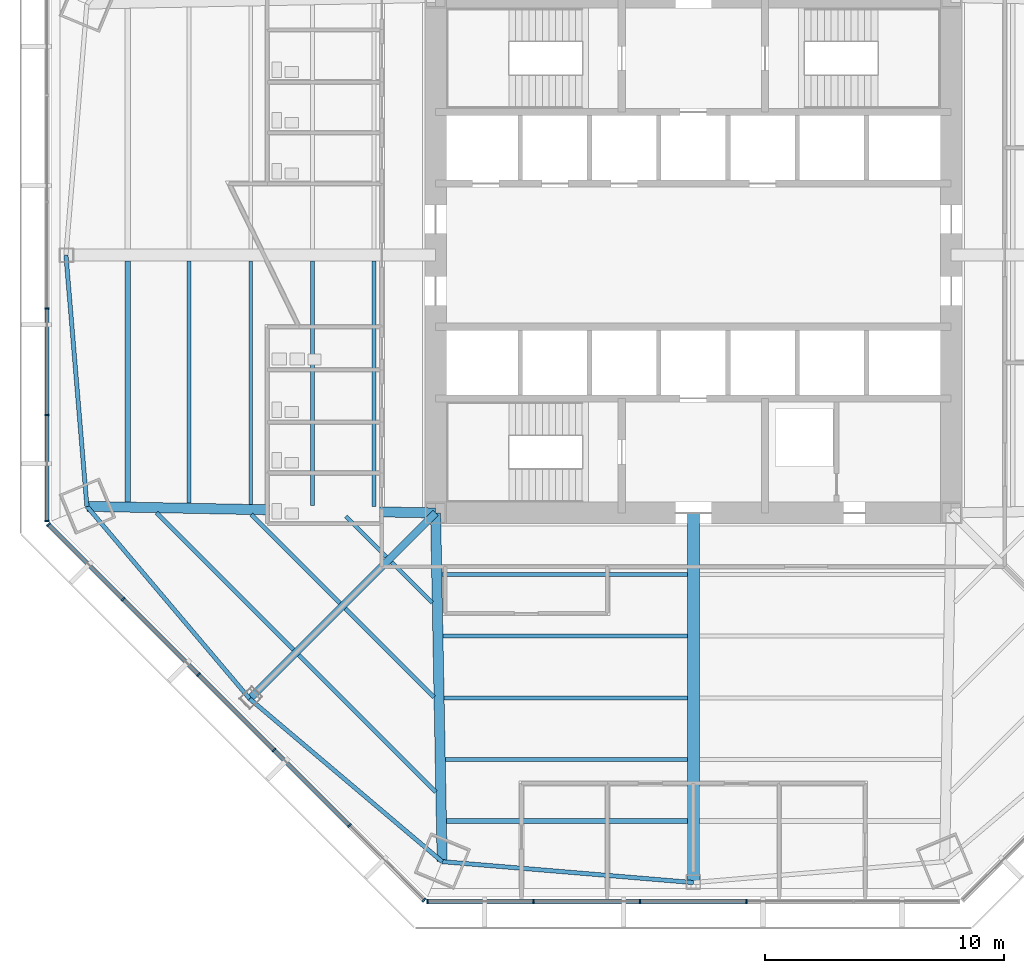
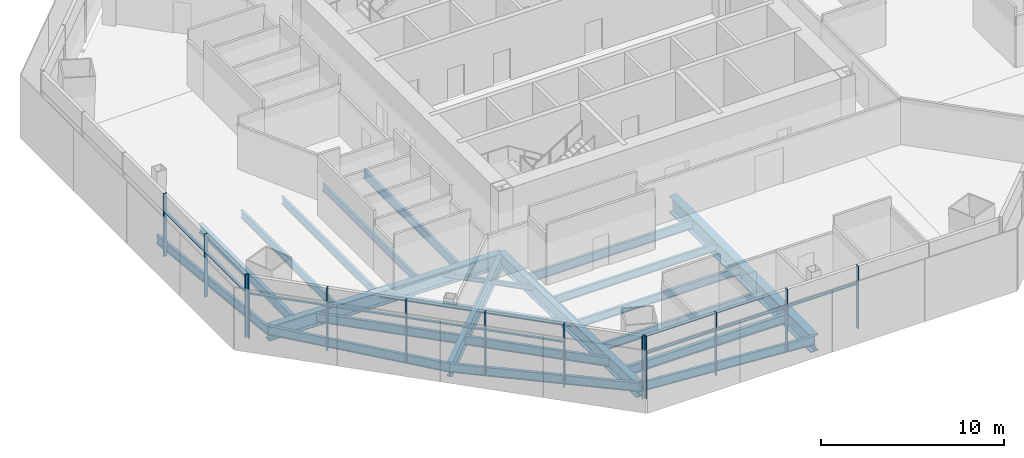
# One storey, part 2 of 14: 24 beams, 22 members, 3 elements without a shape of their own.
"""IFC4 building model written with IfcOpenShell, lengths in metres."""

import ifcopenshell
import ifcopenshell.guid

model = None  # the IFC model being written
_history = None  # IfcOwnerHistory: only IFC2X3 demands one
_inside = {}  # id of a spatial element -> (the spatial element, [elements in it])
_under = {}  # id of a project, library or spatial element -> (it, [spatial elements below it])
_declared = {}  # id of a project -> (the project, [libraries it declares])
_typed = {}  # id of a type object -> (the type object, [elements of that type])
_made_of = {}  # id of a material, layer set ... -> (it, [elements and type objects made of it])


def new_model(schema):
    """Start an empty IFC model of exactly this schema.

    Asked for "IFC4X3", IfcOpenShell would pick the latest addendum, in which some entities
    have other attributes; the version numbers below select the first issue.
    IFC2X3 requires an IfcOwnerHistory on every rooted entity: one is made here for all.
    """
    global model, _history
    if schema == "IFC4X3":
        model = ifcopenshell.file(schema_version=(4, 3, 0, 0))
    else:
        model = ifcopenshell.file(schema=schema)
    _inside.clear()
    _under.clear()
    _declared.clear()
    _typed.clear()
    _made_of.clear()
    _history = None
    if model.schema == "IFC2X3":
        org = make("IfcOrganization", Name="unknown")
        user = make(
            "IfcPersonAndOrganization",
            ThePerson=make("IfcPerson", FamilyName="unknown"),
            TheOrganization=org,
        )
        app = make(
            "IfcApplication",
            ApplicationDeveloper=org,
            Version="unknown",
            ApplicationFullName="unknown",
            ApplicationIdentifier="unknown",
        )
        _history = make(
            "IfcOwnerHistory",
            OwningUser=user,
            OwningApplication=app,
            ChangeAction="ADDED",
            CreationDate=0,
        )
    return model


def make(cls, **values):
    """One entity of the class cls with the attributes given. An attribute that is None is left unset."""
    return model.create_entity(
        cls, **{name: value for name, value in values.items() if value is not None}
    )


def rooted(cls, **values):
    """An entity with a GlobalId (a new one), such as an element, a storey or a relation."""
    return make(cls, GlobalId=ifcopenshell.guid.new(), OwnerHistory=_history, **values)


def si_unit(unit_type, name, prefix=None):
    """IfcSIUnit, for example si_unit("LENGTHUNIT", "METRE", prefix="MILLI")."""
    return make("IfcSIUnit", UnitType=unit_type, Prefix=prefix, Name=name)


def assignment(units):
    """IfcUnitAssignment: the units of a project."""
    return None if units is None else make("IfcUnitAssignment", Units=units)


def point(xyz):
    """IfcCartesianPoint."""
    return None if xyz is None else make("IfcCartesianPoint", Coordinates=xyz)


def direction(xyz):
    """IfcDirection."""
    return None if xyz is None else make("IfcDirection", DirectionRatios=xyz)


def frame(location, z_axis=None, x_axis=None):
    """IfcAxis2Placement3D, a coordinate frame: its origin and axes. An axis left out is left unset."""
    return make(
        "IfcAxis2Placement3D",
        Location=point(location),
        Axis=direction(z_axis),
        RefDirection=direction(x_axis),
    )


def frame_2d(location, x_axis=None):
    """IfcAxis2Placement2D, a coordinate frame in the plane: its origin and x axis."""
    return make(
        "IfcAxis2Placement2D", Location=point(location), RefDirection=direction(x_axis)
    )


def origin():
    """The frame at (0, 0, 0) with its axes left unset."""
    return frame((0.0, 0.0, 0.0))


def origin_2d():
    """The frame at (0, 0) in the plane with its x axis left unset."""
    return frame_2d((0.0, 0.0))


def place(relative_to, where):
    """IfcLocalPlacement: puts the frame where relative to a parent placement (None: the world)."""
    return make(
        "IfcLocalPlacement", PlacementRelTo=relative_to, RelativePlacement=where
    )


def context(
    kind, dimensions, precision=None, world=None, true_north=None, identifier=None
):
    """IfcGeometricRepresentationContext, for example the 3D "Model" context."""
    return make(
        "IfcGeometricRepresentationContext",
        ContextIdentifier=identifier,
        ContextType=kind,
        CoordinateSpaceDimension=dimensions,
        Precision=precision,
        WorldCoordinateSystem=world,
        TrueNorth=true_north,
    )


def subcontext(parent, identifier, kind, view, scale=None):
    """IfcGeometricRepresentationSubContext, for example "Body" below "Model"."""
    return make(
        "IfcGeometricRepresentationSubContext",
        ContextIdentifier=identifier,
        ContextType=kind,
        ParentContext=parent,
        TargetScale=scale,
        TargetView=view,
    )


def project(units=None, contexts=None):
    """IfcProject with its units and contexts."""
    return rooted(
        "IfcProject",
        Name="project",
        RepresentationContexts=contexts,
        UnitsInContext=assignment(units),
    )


def spatial(cls, under=None, at=None, **own):
    """A site, building, storey or space (cls), placed at a placement, below another one or the project."""
    s = rooted(cls, ObjectPlacement=at, **own)
    if under is not None:
        _under.setdefault(under.id(), (under, []))[1].append(s)
    return s


def profile(cls, at=None, kind="AREA", **sizes):
    """A parametric profile (cls). Its sizes go by their IFC names, for example OverallWidth=200.0."""
    return make(cls, ProfileType=kind, Position=at, **sizes)


def rectangle(**sizes):
    """IfcRectangleProfileDef."""
    return profile("IfcRectangleProfileDef", **sizes)


def i_section(**sizes):
    """IfcIShapeProfileDef."""
    return profile("IfcIShapeProfileDef", **sizes)


def extrude(swept, where, along, depth):
    """IfcExtrudedAreaSolid: the profile swept, set in the frame where, extruded along a direction by depth."""
    return make(
        "IfcExtrudedAreaSolid",
        SweptArea=swept,
        Position=where,
        ExtrudedDirection=direction(along),
        Depth=depth,
    )


def shape(context_of_items, identifier, shape_type, items):
    """IfcShapeRepresentation: the items that make up one representation, for example the "Body"."""
    return make(
        "IfcShapeRepresentation",
        ContextOfItems=context_of_items,
        RepresentationIdentifier=identifier,
        RepresentationType=shape_type,
        Items=items,
    )


def source(mapping_origin, context_of_items, identifier, shape_type, items):
    """IfcRepresentationMap: a shape defined once, which mapped items show again and again."""
    return make(
        "IfcRepresentationMap",
        MappingOrigin=mapping_origin,
        MappedRepresentation=shape(context_of_items, identifier, shape_type, items),
    )


def transform(
    local_origin,
    x_axis=None,
    y_axis=None,
    z_axis=None,
    scale=None,
    scale2=None,
    scale3=None,
    uniform=True,
):
    """IfcCartesianTransformationOperator3D, or its non-uniform kind. x_axis, y_axis, z_axis: its Axis1, 2, 3."""
    if uniform:
        return make(
            "IfcCartesianTransformationOperator3D",
            Axis1=direction(x_axis),
            Axis2=direction(y_axis),
            LocalOrigin=point(local_origin),
            Scale=scale,
            Axis3=direction(z_axis),
        )
    return make(
        "IfcCartesianTransformationOperator3DnonUniform",
        Axis1=direction(x_axis),
        Axis2=direction(y_axis),
        LocalOrigin=point(local_origin),
        Scale=scale,
        Axis3=direction(z_axis),
        Scale2=scale2,
        Scale3=scale3,
    )


def mapped(mapping_source, mapping_target):
    """IfcMappedItem: shows the shape of a source again, moved by a transform."""
    return make(
        "IfcMappedItem", MappingSource=mapping_source, MappingTarget=mapping_target
    )


def material(Name=None, Category=None):
    """IfcMaterial."""
    return make("IfcMaterial", Name=Name, Category=Category)


def material_profile(
    of_material, cross_section, Name=None, Category=None, Priority=None
):
    """IfcMaterialProfile: a cross section and its material."""
    return make(
        "IfcMaterialProfile",
        Name=Name,
        Material=of_material,
        Profile=cross_section,
        Priority=Priority,
        Category=Category,
    )


def profile_set(profiles, Name=None, composite=None):
    """IfcMaterialProfileSet."""
    return make(
        "IfcMaterialProfileSet",
        Name=Name,
        MaterialProfiles=profiles,
        CompositeProfile=composite,
    )


def made_of(thing, what):
    """Note that an element or type object is made of a material, layer set ...; save() writes the relation."""
    if what is not None:
        _made_of.setdefault(what.id(), (what, []))[1].append(thing)
    return thing


def type_object(cls, material=None, **own):
    """A type object (cls), such as IfcWallType, which elements share."""
    return made_of(rooted(cls, **own), material)


def type_shapes(of_type, sources):
    """Give a type object the sources (RepresentationMaps) that its elements show as mapped items."""
    of_type.RepresentationMaps = sources


def element(
    cls,
    number,
    at=None,
    inside=None,
    cuts=None,
    type_object=None,
    material=None,
    context=None,
    identifier="Body",
    shape_type=None,
    held_by="IfcProductDefinitionShape",
    body=None,
    shapes=None,
    **own,
):
    """One element of the class cls, such as IfcWall. Its Tag is "e" and its number.

    at: its placement. inside: the storey or other place that contains it. cuts: it is an
    opening in that element (IfcRelVoidsElement). A single representation is given by context,
    identifier, shape_type and body (its items); several are given by shapes. held_by: the class
    of the entity that holds the representations. save() writes the other relations.
    """
    e = rooted(cls, Tag="e%d" % number, ObjectPlacement=at, **own)
    if body is not None:
        shapes = [shape(context, identifier, shape_type, body)]
    if shapes is not None:
        e.Representation = make(held_by, Representations=shapes)
    if inside is not None:
        _inside.setdefault(inside.id(), (inside, []))[1].append(e)
    if cuts is not None:
        rooted(
            "IfcRelVoidsElement", RelatingBuildingElement=cuts, RelatedOpeningElement=e
        )
    if type_object is not None:
        _typed.setdefault(type_object.id(), (type_object, []))[1].append(e)
    return made_of(e, material)


def aggregate(whole, parts):
    """IfcRelAggregates: a whole, such as a stair, and the parts it consists of."""
    return rooted("IfcRelAggregates", RelatingObject=whole, RelatedObjects=parts)


def save(model, path):
    """Write the relations noted so far, then the file.

    IfcRelAggregates (storeys below a building ...), IfcRelContainedInSpatialStructure (elements
    in a storey), IfcRelDefinesByType, IfcRelAssociatesMaterial and IfcRelDeclares: one each for
    every whole, place, type object, material and project.
    """
    for whole, parts in _under.values():
        aggregate(whole, parts)
    for where, things in _inside.values():
        rooted(
            "IfcRelContainedInSpatialStructure",
            RelatedElements=things,
            RelatingStructure=where,
        )
    for kind, things in _typed.values():
        rooted("IfcRelDefinesByType", RelatedObjects=things, RelatingType=kind)
    for what, things in _made_of.values():
        rooted("IfcRelAssociatesMaterial", RelatedObjects=things, RelatingMaterial=what)
    for by, libraries in _declared.values():
        rooted("IfcRelDeclares", RelatingContext=by, RelatedDefinitions=libraries)
    model.write(path)


model = new_model("IFC4")

# Units and contexts
model_context = context("Model", 3, precision=1e-05, world=origin(), true_north=direction((0.0, 1.0)))
body_context = subcontext(model_context, "Body", "Model", "MODEL_VIEW")
ifc_project = project(units=[si_unit("LENGTHUNIT", "METRE"), si_unit("AREAUNIT", "SQUARE_METRE"), si_unit("VOLUMEUNIT", "CUBIC_METRE"), si_unit("PLANEANGLEUNIT", "RADIAN"), si_unit("MASSUNIT", "GRAM", prefix="KILO")], contexts=[model_context])

# Site, building, storey
site_placement = place(None, origin())
site = spatial("IfcSite", under=ifc_project, at=site_placement, CompositionType="ELEMENT")
building_placement = place(site_placement, origin())
building = spatial("IfcBuilding", under=site, at=building_placement, Name="Mashrafa Tower", CompositionType="ELEMENT")
storey_placement = place(building_placement, frame((0.0, 0.0, 33.0)))
storey = spatial("IfcBuildingStorey", under=building, at=storey_placement, Name="L06", CompositionType="ELEMENT", Elevation=33.0)

# Beams
ifc_material_1 = material(Name="Steel ASTM A572 Gr 50", Category="steel")
ifc_material_profile_1 = material_profile(ifc_material_1, i_section(OverallWidth=0.5, OverallDepth=1.10009765625, WebThickness=0.02490234375, FlangeThickness=0.050048828125, at=origin_2d()), Name="H1100X500X25X50")
ifc_profile_set_1 = profile_set([ifc_material_profile_1], Name="Steel ASTM A572 Gr 50")
beam_type_1 = type_object("IfcBeamType", Name="Beam H1100X500X25X50", PredefinedType="BEAM", material=ifc_profile_set_1)
beam_1_placement = place(storey_placement, frame((0.0, -10.800048828125, -0.715087890625), z_axis=(0.0, -1.0, 0.0), x_axis=(1.0, 0.0, 0.0)))
element("IfcBeam", 1, at=beam_1_placement, inside=storey, type_object=beam_type_1, Name="Radial girder L06 072", PredefinedType="BEAM", context=body_context, shape_type="SweptSolid", body=[
    extrude(i_section(OverallWidth=0.5, OverallDepth=1.10009765625, WebThickness=0.02490234375, FlangeThickness=0.050048828125, at=origin_2d()), origin(), (0.0, 0.0, 1.0), 15.48583984375),
])
ifc_material_2 = material(Name="Steel ASTM A992", Category="steel")
ifc_material_profile_2 = material_profile(ifc_material_2, i_section(OverallWidth=0.164794921875, OverallDepth=0.309814453125, WebThickness=0.005859375, FlangeThickness=0.009765625, FilletRadius=0.007568359375, at=origin_2d()), Name="W12X26")
ifc_profile_set_2 = profile_set([ifc_material_profile_2], Name="Steel ASTM A992")
beam_type_2 = type_object("IfcBeamType", Name="Beam W12X26", PredefinedType="BEAM", material=ifc_profile_set_2)
beam_2_placement = place(storey_placement, frame((-14.80224609375, -14.584716796875, -0.31982421875), z_axis=(-0.707083567294, 0.707129994317, 0.0), x_axis=(-0.707129994317, -0.707083567294, 0.0)))
element("IfcBeam", 2, at=beam_2_placement, inside=storey, type_object=beam_type_2, Name="Floor beam L06 014", PredefinedType="BEAM", context=body_context, shape_type="SweptSolid", body=[
    extrude(i_section(OverallWidth=0.164794921875, OverallDepth=0.309814453125, WebThickness=0.005859375, FlangeThickness=0.009765625, FilletRadius=0.007568359375, at=origin_2d()), origin(), (0.0, 0.0, 1.0), 5.258544921875),
])
for number, where, z_axis, x_axis, name in (
    (3, (-12.85546875, -12.637939453125, -0.31982421875), (-0.707157654008, 0.707055904705, 0.0), (-0.707055904705, -0.707157654008, 0.0), "Floor beam L06 018"),
    (4, (-10.94140625, -14.55224609375, -0.31982421875), (-0.707055904705, 0.707157654008, 0.0), (-0.707157654008, -0.707055904705, 0.0), "Floor beam L06 021"),
):
    element("IfcBeam", number, at=place(storey_placement, frame(where, z_axis=z_axis, x_axis=x_axis)), inside=storey, type_object=beam_type_2, Name=name, PredefinedType="BEAM", context=body_context, shape_type="SweptSolid", body=[
        extrude(i_section(OverallWidth=0.164794921875, OverallDepth=0.309814453125, WebThickness=0.005859375, FlangeThickness=0.009765625, FilletRadius=0.007568359375, at=origin_2d()), origin(), (0.0, 0.0, 1.0), 2.3994140625),
    ])
beam_3_placement = place(storey_placement, frame((-10.8662109375, -18.5205078125, -0.31982421875), z_axis=(-0.707129994317, 0.707083567294, 0.0), x_axis=(-0.707083567294, -0.707129994317, 0.0)))
element("IfcBeam", 5, at=beam_3_placement, inside=storey, type_object=beam_type_2, Name="Floor beam L06 024", PredefinedType="BEAM", context=body_context, shape_type="SweptSolid", body=[
    extrude(i_section(OverallWidth=0.164794921875, OverallDepth=0.309814453125, WebThickness=0.005859375, FlangeThickness=0.009765625, FilletRadius=0.007568359375, at=origin_2d()), origin(), (0.0, 0.0, 1.0), 5.258544921875),
])
ifc_material_3 = material(Name="Steel ASTM A992", Category="steel")
ifc_material_profile_3 = material_profile(ifc_material_3, i_section(OverallWidth=0.165771484375, OverallDepth=0.5283203125, WebThickness=0.009765625, FlangeThickness=0.013671875, FilletRadius=0.012939453125, at=origin_2d()), Name="W21X50")
ifc_profile_set_3 = profile_set([ifc_material_profile_3], Name="Steel ASTM A992")
beam_type_3 = type_object("IfcBeamType", Name="Beam W21X50", PredefinedType="BEAM", material=ifc_profile_set_3)
beam_4_placement = place(storey_placement, frame((-21.123779296875, -10.39306640625, -0.42919921875), z_axis=(0.0, 1.0, 0.0), x_axis=(-1.0, 0.0, 0.0)))
element("IfcBeam", 6, at=beam_4_placement, inside=storey, type_object=beam_type_3, Name="Floor beam L06 004", PredefinedType="BEAM", context=body_context, shape_type="SweptSolid", body=[
    extrude(i_section(OverallWidth=0.165771484375, OverallDepth=0.5283203125, WebThickness=0.009765625, FlangeThickness=0.013671875, FilletRadius=0.012939453125, at=origin_2d()), origin(), (0.0, 0.0, 1.0), 10.14306640625),
])
beam_5_placement = place(storey_placement, frame((-18.54296875, -10.441650390625, -0.42919921875), z_axis=(0.0, 1.0, 0.0), x_axis=(-1.0, 0.0, 0.0)))
element("IfcBeam", 7, at=beam_5_placement, inside=storey, type_object=beam_type_3, Name="Floor beam L06 007", PredefinedType="BEAM", context=body_context, shape_type="SweptSolid", body=[
    extrude(i_section(OverallWidth=0.165771484375, OverallDepth=0.5283203125, WebThickness=0.009765625, FlangeThickness=0.013671875, FilletRadius=0.012939453125, at=origin_2d()), origin(), (0.0, 0.0, 1.0), 10.191650390625),
])
beam_6_placement = place(storey_placement, frame((-15.9619140625, -10.490478515625, -0.42919921875), z_axis=(0.0, 1.0, 0.0), x_axis=(-1.0, 0.0, 0.0)))
element("IfcBeam", 8, at=beam_6_placement, inside=storey, type_object=beam_type_3, Name="Floor beam L06 011", PredefinedType="BEAM", context=body_context, shape_type="SweptSolid", body=[
    extrude(i_section(OverallWidth=0.165771484375, OverallDepth=0.5283203125, WebThickness=0.009765625, FlangeThickness=0.013671875, FilletRadius=0.012939453125, at=origin_2d()), origin(), (0.0, 0.0, 1.0), 10.240478515625),
])
beam_7_placement = place(storey_placement, frame((-0.25, -21.123779296875, -0.42919921875), z_axis=(-1.0, 0.0, 0.0), x_axis=(0.0, -1.0, 0.0)))
element("IfcBeam", 9, at=beam_7_placement, inside=storey, type_object=beam_type_3, Name="Floor beam L06 029", PredefinedType="BEAM", context=body_context, shape_type="SweptSolid", body=[
    extrude(i_section(OverallWidth=0.165771484375, OverallDepth=0.5283203125, WebThickness=0.009765625, FlangeThickness=0.013671875, FilletRadius=0.012939453125, at=origin_2d()), origin(), (0.0, 0.0, 1.0), 10.14306640625),
])
beam_8_placement = place(storey_placement, frame((-0.25, -18.54296875, -0.42919921875), z_axis=(-1.0, 0.0, 0.0), x_axis=(0.0, -1.0, 0.0)))
element("IfcBeam", 10, at=beam_8_placement, inside=storey, type_object=beam_type_3, Name="Floor beam L06 030", PredefinedType="BEAM", context=body_context, shape_type="SweptSolid", body=[
    extrude(i_section(OverallWidth=0.165771484375, OverallDepth=0.5283203125, WebThickness=0.009765625, FlangeThickness=0.013671875, FilletRadius=0.012939453125, at=origin_2d()), origin(), (0.0, 0.0, 1.0), 10.191650390625),
])
beam_9_placement = place(storey_placement, frame((-0.25, -15.9619140625, -0.42919921875), z_axis=(-1.0, 0.0, 0.0), x_axis=(0.0, -1.0, 0.0)))
element("IfcBeam", 11, at=beam_9_placement, inside=storey, type_object=beam_type_3, Name="Floor beam L06 031", PredefinedType="BEAM", context=body_context, shape_type="SweptSolid", body=[
    extrude(i_section(OverallWidth=0.165771484375, OverallDepth=0.5283203125, WebThickness=0.009765625, FlangeThickness=0.013671875, FilletRadius=0.012939453125, at=origin_2d()), origin(), (0.0, 0.0, 1.0), 10.240478515625),
])
ifc_material_4 = material(Name="Steel ASTM A992", Category="steel")
ifc_material_profile_4 = material_profile(ifc_material_4, i_section(OverallWidth=0.177978515625, OverallDepth=0.599365234375, WebThickness=0.010009765625, FlangeThickness=0.012939453125, FilletRadius=0.012939453125, at=origin_2d()), Name="W24X55")
ifc_profile_set_4 = profile_set([ifc_material_profile_4], Name="Steel ASTM A992")
beam_type_4 = type_object("IfcBeamType", Name="Beam W24X55", PredefinedType="BEAM", material=ifc_profile_set_4)
beam_10_placement = place(storey_placement, frame((-16.748779296875, -16.531494140625, -0.464599609375), z_axis=(-0.707121818493, 0.70709174356, 0.0), x_axis=(-0.70709174356, -0.707121818493, 0.0)))
element("IfcBeam", 12, at=beam_10_placement, inside=storey, type_object=beam_type_4, Name="Floor beam L06 009", PredefinedType="BEAM", context=body_context, shape_type="SweptSolid", body=[
    extrude(i_section(OverallWidth=0.177978515625, OverallDepth=0.599365234375, WebThickness=0.010009765625, FlangeThickness=0.012939453125, FilletRadius=0.012939453125, at=origin_2d()), origin(), (0.0, 0.0, 1.0), 8.11767578125),
])
beam_11_placement = place(storey_placement, frame((-13.381103515625, -10.539306640625, -0.464599609375), z_axis=(0.0, 1.0, 0.0), x_axis=(-1.0, 0.0, 0.0)))
element("IfcBeam", 13, at=beam_11_placement, inside=storey, type_object=beam_type_4, Name="Floor beam L06 016", PredefinedType="BEAM", context=body_context, shape_type="SweptSolid", body=[
    extrude(i_section(OverallWidth=0.177978515625, OverallDepth=0.599365234375, WebThickness=0.010009765625, FlangeThickness=0.012939453125, FilletRadius=0.012939453125, at=origin_2d()), origin(), (0.0, 0.0, 1.0), 10.289306640625),
])
beam_12_placement = place(storey_placement, frame((-10.79150390625, -22.489013671875, -0.464599609375), z_axis=(-0.70709174356, 0.707121818493, 0.0), x_axis=(-0.707121818493, -0.70709174356, 0.0)))
element("IfcBeam", 14, at=beam_12_placement, inside=storey, type_object=beam_type_4, Name="Floor beam L06 026", PredefinedType="BEAM", context=body_context, shape_type="SweptSolid", body=[
    extrude(i_section(OverallWidth=0.177978515625, OverallDepth=0.599365234375, WebThickness=0.010009765625, FlangeThickness=0.012939453125, FilletRadius=0.012939453125, at=origin_2d()), origin(), (0.0, 0.0, 1.0), 8.11767578125),
])
beam_13_placement = place(storey_placement, frame((-0.25, -13.381103515625, -0.464599609375), z_axis=(-1.0, 0.0, 0.0), x_axis=(0.0, -1.0, 0.0)))
element("IfcBeam", 15, at=beam_13_placement, inside=storey, type_object=beam_type_4, Name="Floor beam L06 032", PredefinedType="BEAM", context=body_context, shape_type="SweptSolid", body=[
    extrude(i_section(OverallWidth=0.177978515625, OverallDepth=0.599365234375, WebThickness=0.010009765625, FlangeThickness=0.012939453125, FilletRadius=0.012939453125, at=origin_2d()), origin(), (0.0, 0.0, 1.0), 10.289306640625),
])
for number, where, z_axis, x_axis, name in (
    (16, (-26.285888671875, 0.0, -0.464599609375), (0.083154531343, -0.996536664613, 0.0), (0.996536664613, 0.083154531343, 0.0), "Spandrel beam L06 081"),
    (17, (-25.40771484375, -10.524169921875, -0.464599609375), (0.645858296916, -0.763457307454, 0.0), (0.763457307454, 0.645858296916, 0.0), "Spandrel beam L06 082"),
    (18, (-18.5869140625, -18.5869140625, -0.464599609375), (0.763457307454, -0.645858296916, 0.0), (0.645858296916, 0.763457307454, 0.0), "Spandrel beam L06 084"),
    (19, (-10.524169921875, -25.40771484375, -0.464599609375), (0.996536664613, -0.083154531343, 0.0), (0.083154531343, 0.996536664613, 0.0), "Spandrel beam L06 086"),
):
    element("IfcBeam", number, at=place(storey_placement, frame(where, z_axis=z_axis, x_axis=x_axis)), inside=storey, type_object=beam_type_4, Name=name, PredefinedType="BEAM", context=body_context, shape_type="SweptSolid", body=[
        extrude(i_section(OverallWidth=0.177978515625, OverallDepth=0.599365234375, WebThickness=0.010009765625, FlangeThickness=0.012939453125, FilletRadius=0.012939453125, at=origin_2d()), origin(), (0.0, 0.0, 1.0), 10.560791015625),
    ])
ifc_material_5 = material(Name="Steel ASTM A992", Category="steel")
ifc_material_profile_5 = material_profile(ifc_material_5, i_section(OverallWidth=0.227783203125, OverallDepth=0.60205078125, WebThickness=0.010498046875, FlangeThickness=0.014892578125, FilletRadius=0.012939453125, at=origin_2d()), Name="W24X68")
ifc_profile_set_5 = profile_set([ifc_material_profile_5], Name="Steel ASTM A992")
beam_type_5 = type_object("IfcBeamType", Name="Beam W24X68", PredefinedType="BEAM", material=ifc_profile_set_5)
for number, where, z_axis, x_axis, name in (
    (20, (-23.704833984375, -10.34423828125, -0.466064453125), (0.0, 1.0, 0.0), (-1.0, 0.0, 0.0), "Floor beam L06 001"),
    (21, (-0.25, -23.704833984375, -0.466064453125), (-1.0, 0.0, 0.0), (0.0, -1.0, 0.0), "Floor beam L06 028"),
):
    element("IfcBeam", number, at=place(storey_placement, frame(where, z_axis=z_axis, x_axis=x_axis)), inside=storey, type_object=beam_type_5, Name=name, PredefinedType="BEAM", context=body_context, shape_type="SweptSolid", body=[
        extrude(i_section(OverallWidth=0.227783203125, OverallDepth=0.60205078125, WebThickness=0.010498046875, FlangeThickness=0.014892578125, FilletRadius=0.012939453125, at=origin_2d()), origin(), (0.0, 0.0, 1.0), 10.09423828125),
    ])
ifc_material_6 = material(Name="Steel ASTM A992", Category="steel")
ifc_material_profile_6 = material_profile(ifc_material_6, i_section(OverallWidth=0.307373046875, OverallDepth=0.927001953125, WebThickness=0.01953125, FlangeThickness=0.031982421875, FilletRadius=0.01904296875, at=origin_2d()), Name="W36X194")
ifc_profile_set_6 = profile_set([ifc_material_profile_6], Name="Steel ASTM A992")
beam_type_6 = type_object("IfcBeamType", Name="Beam W36X194", PredefinedType="BEAM", material=ifc_profile_set_6)
beam_14_placement = place(storey_placement, frame((-10.800048828125, -10.800048828125, -0.628662109375), z_axis=(-0.707106781187, -0.707106781187, 0.0), x_axis=(0.707106781187, -0.707106781187, 0.0)))
element("IfcBeam", 22, at=beam_14_placement, inside=storey, type_object=beam_type_6, Name="Radial girder L06 066", PredefinedType="BEAM", context=body_context, shape_type="SweptSolid", body=[
    extrude(i_section(OverallWidth=0.307373046875, OverallDepth=0.927001953125, WebThickness=0.01953125, FlangeThickness=0.031982421875, FilletRadius=0.01904296875, at=origin_2d()), origin(), (0.0, 0.0, 1.0), 11.01220703125),
])
ifc_material_7 = material(Name="Steel ASTM A992", Category="steel")
ifc_material_profile_7 = material_profile(ifc_material_7, i_section(OverallWidth=0.424072265625, OverallDepth=0.960205078125, WebThickness=0.028564453125, FlangeThickness=0.051025390625, FilletRadius=0.02001953125, at=origin_2d()), Name="W36X361")
ifc_profile_set_7 = profile_set([ifc_material_profile_7], Name="Steel ASTM A992")
beam_type_7 = type_object("IfcBeamType", Name="Beam W36X361", PredefinedType="BEAM", material=ifc_profile_set_7)
for number, where, z_axis, x_axis, name in (
    (23, (-10.800048828125, -10.800048828125, -0.64501953125), (-0.999821709101, 0.018882531902, 0.0), (-0.018882531902, -0.999821709101, 0.0), "Radial girder L06 065"),
    (24, (-10.800048828125, -10.800048828125, -0.64501953125), (0.018882531902, -0.999821709101, 0.0), (0.999821709101, 0.018882531902, 0.0), "Radial girder L06 067"),
):
    element("IfcBeam", number, at=place(storey_placement, frame(where, z_axis=z_axis, x_axis=x_axis)), inside=storey, type_object=beam_type_7, Name=name, PredefinedType="BEAM", context=body_context, shape_type="SweptSolid", body=[
        extrude(i_section(OverallWidth=0.424072265625, OverallDepth=0.960205078125, WebThickness=0.028564453125, FlangeThickness=0.051025390625, FilletRadius=0.02001953125, at=origin_2d()), origin(), (0.0, 0.0, 1.0), 14.6103515625),
    ])

# Curtain wall, members
ifc_material_8 = material(Name="Unitised aluminium curtain wall", Category="aluminium")
curtain_wall_type = type_object("IfcCurtainWallType", Name="Office curtain wall, zone 1 CW-A 200 deep", PredefinedType="NOTDEFINED", material=ifc_material_8)
curtain_wall_1_placement = place(storey_placement, origin())
curtain_wall_1 = element("IfcCurtainWall", 25, at=curtain_wall_1_placement, inside=storey, type_object=curtain_wall_type, Name="Office curtain wall, zone 1 L06 west", PredefinedType="NOTDEFINED")
ifc_material_9 = material(Name="Extruded aluminium mullion", Category="aluminium")
ifc_material_profile_8 = material_profile(ifc_material_9, rectangle(XDim=0.199951171875, YDim=0.06494140625, at=origin_2d()), Name="Mullion 65x200")
ifc_profile_set_8 = profile_set([ifc_material_profile_8], Name="Extruded aluminium mullion")
member_type_1 = type_object("IfcMemberType", Name="Mullion CW-A 65 x 200", PredefinedType="MULLION", material=ifc_profile_set_8)
shared_shape_1 = source(origin(), body_context, "Body", "SweptSolid", [
    extrude(rectangle(XDim=0.199951171875, YDim=0.06494140625, at=origin_2d()), origin(), (0.0, 0.0, 1.0), 4.199951171875),
])
type_shapes(member_type_1, [shared_shape_1])
member_1_placement = place(storey_placement, frame((-27.081298828125, -2.233154296875, 0.0), z_axis=(0.0, 0.0, 1.0), x_axis=(1.0, 0.0, 0.0)))
member_1 = element("IfcMember", 26, at=member_1_placement, type_object=member_type_1, Name="CW-A mullion 4", PredefinedType="MULLION", context=body_context, shape_type="MappedRepresentation", body=[
    mapped(shared_shape_1, transform((0.0, 0.0, 0.0))),
])
member_2_placement = place(storey_placement, frame((-27.081298828125, -6.69970703125, 0.0), z_axis=(0.0, 0.0, 1.0), x_axis=(1.0, 0.0, 0.0)))
member_2 = element("IfcMember", 27, at=member_2_placement, type_object=member_type_1, Name="CW-A mullion 5", PredefinedType="MULLION", context=body_context, shape_type="MappedRepresentation", body=[
    mapped(shared_shape_1, transform((0.0, 0.0, 0.0))),
])
member_3_placement = place(storey_placement, frame((-27.081298828125, -11.133544921875, 0.0), z_axis=(0.0, 0.0, 1.0), x_axis=(1.0, 0.0, 0.0)))
member_3 = element("IfcMember", 28, at=member_3_placement, type_object=member_type_1, Name="CW-A mullion 6", PredefinedType="MULLION", context=body_context, shape_type="MappedRepresentation", body=[
    mapped(shared_shape_1, transform((0.0, 0.0, 0.0))),
])

curtain_wall_2_placement = place(storey_placement, origin())
curtain_wall_2 = element("IfcCurtainWall", 29, at=curtain_wall_2_placement, inside=storey, type_object=curtain_wall_type, Name="Office curtain wall, zone 1 L06 south-west", PredefinedType="NOTDEFINED")
member_4_placement = place(storey_placement, frame((-27.021728515625, -11.27685546875, 0.0), z_axis=(0.0, 0.0, 1.0), x_axis=(0.707106781187, 0.707106781187, 0.0)))
member_4 = element("IfcMember", 30, at=member_4_placement, type_object=member_type_1, Name="CW-A mullion 1", PredefinedType="MULLION", context=body_context, shape_type="MappedRepresentation", body=[
    mapped(shared_shape_1, transform((0.0, 0.0, 0.0))),
])
member_5_placement = place(storey_placement, frame((-23.88671875, -14.411865234375, 0.0), z_axis=(0.0, 0.0, 1.0), x_axis=(0.707106781187, 0.707106781187, 0.0)))
member_5 = element("IfcMember", 31, at=member_5_placement, type_object=member_type_1, Name="CW-A mullion 2", PredefinedType="MULLION", context=body_context, shape_type="MappedRepresentation", body=[
    mapped(shared_shape_1, transform((0.0, 0.0, 0.0))),
])
member_6_placement = place(storey_placement, frame((-20.728515625, -17.570068359375, 0.0), z_axis=(0.0, 0.0, 1.0), x_axis=(0.707106781187, 0.707106781187, 0.0)))
member_6 = element("IfcMember", 32, at=member_6_placement, type_object=member_type_1, Name="CW-A mullion 3", PredefinedType="MULLION", context=body_context, shape_type="MappedRepresentation", body=[
    mapped(shared_shape_1, transform((0.0, 0.0, 0.0))),
])
member_7_placement = place(storey_placement, frame((-17.570068359375, -20.728515625, 0.0), z_axis=(0.0, 0.0, 1.0), x_axis=(0.707106781187, 0.707106781187, 0.0)))
member_7 = element("IfcMember", 33, at=member_7_placement, type_object=member_type_1, Name="CW-A mullion 4", PredefinedType="MULLION", context=body_context, shape_type="MappedRepresentation", body=[
    mapped(shared_shape_1, transform((0.0, 0.0, 0.0))),
])
member_8_placement = place(storey_placement, frame((-14.411865234375, -23.88671875, 0.0), z_axis=(0.0, 0.0, 1.0), x_axis=(0.707106781187, 0.707106781187, 0.0)))
member_8 = element("IfcMember", 34, at=member_8_placement, type_object=member_type_1, Name="CW-A mullion 5", PredefinedType="MULLION", context=body_context, shape_type="MappedRepresentation", body=[
    mapped(shared_shape_1, transform((0.0, 0.0, 0.0))),
])
member_9_placement = place(storey_placement, frame((-11.27685546875, -27.021728515625, 0.0), z_axis=(0.0, 0.0, 1.0), x_axis=(0.707106781187, 0.707106781187, 0.0)))
member_9 = element("IfcMember", 35, at=member_9_placement, type_object=member_type_1, Name="CW-A mullion 6", PredefinedType="MULLION", context=body_context, shape_type="MappedRepresentation", body=[
    mapped(shared_shape_1, transform((0.0, 0.0, 0.0))),
])

curtain_wall_3_placement = place(storey_placement, origin())
curtain_wall_3 = element("IfcCurtainWall", 36, at=curtain_wall_3_placement, inside=storey, type_object=curtain_wall_type, Name="Office curtain wall, zone 1 L06 south", PredefinedType="NOTDEFINED")
member_10_placement = place(storey_placement, frame((-11.133544921875, -27.081298828125, 0.0), z_axis=(0.0, 0.0, 1.0), x_axis=(0.0, 1.0, 0.0)))
member_10 = element("IfcMember", 37, at=member_10_placement, type_object=member_type_1, Name="CW-A mullion 1", PredefinedType="MULLION", context=body_context, shape_type="MappedRepresentation", body=[
    mapped(shared_shape_1, transform((0.0, 0.0, 0.0))),
])
member_11_placement = place(storey_placement, frame((-6.69970703125, -27.081298828125, 0.0), z_axis=(0.0, 0.0, 1.0), x_axis=(0.0, 1.0, 0.0)))
member_11 = element("IfcMember", 38, at=member_11_placement, type_object=member_type_1, Name="CW-A mullion 2", PredefinedType="MULLION", context=body_context, shape_type="MappedRepresentation", body=[
    mapped(shared_shape_1, transform((0.0, 0.0, 0.0))),
])
member_12_placement = place(storey_placement, frame((-2.233154296875, -27.081298828125, 0.0), z_axis=(0.0, 0.0, 1.0), x_axis=(0.0, 1.0, 0.0)))
member_12 = element("IfcMember", 39, at=member_12_placement, type_object=member_type_1, Name="CW-A mullion 3", PredefinedType="MULLION", context=body_context, shape_type="MappedRepresentation", body=[
    mapped(shared_shape_1, transform((0.0, 0.0, 0.0))),
])
member_13_placement = place(storey_placement, frame((2.233154296875, -27.081298828125, 0.0), z_axis=(0.0, 0.0, 1.0), x_axis=(0.0, 1.0, 0.0)))
member_13 = element("IfcMember", 40, at=member_13_placement, type_object=member_type_1, Name="CW-A mullion 4", PredefinedType="MULLION", context=body_context, shape_type="MappedRepresentation", body=[
    mapped(shared_shape_1, transform((0.0, 0.0, 0.0))),
])

# Member
ifc_material_10 = material(Name="Extruded aluminium transom", Category="aluminium")
ifc_material_profile_9 = material_profile(ifc_material_10, rectangle(XDim=0.159912109375, YDim=0.080078125, at=origin_2d()), Name="Transom 80x160")
ifc_profile_set_9 = profile_set([ifc_material_profile_9], Name="Extruded aluminium transom")
member_type_2 = type_object("IfcMemberType", Name="Transom CW-A 80 x 160", PredefinedType="MULLION", material=ifc_profile_set_9)
shared_shape_2 = source(origin(), body_context, "Body", "SweptSolid", [
    extrude(rectangle(XDim=0.159912109375, YDim=0.080078125, at=origin_2d()), origin(), (0.0, 0.0, 1.0), 4.368896484375),
])
member_14_placement = place(storey_placement, frame((-27.081298828125, -6.732177734375, 3.0), z_axis=(0.0, -1.0, 0.0), x_axis=(1.0, 0.0, 0.0)))
member_14 = element("IfcMember", 41, at=member_14_placement, type_object=member_type_2, Name="CW-A transom 5", PredefinedType="MULLION", context=body_context, shape_type="MappedRepresentation", body=[
    mapped(shared_shape_2, transform((0.0, 0.0, 0.0))),
])

member_15_placement = place(storey_placement, frame((-11.10107421875, -27.081298828125, 3.0), z_axis=(1.0, 0.0, 0.0), x_axis=(0.0, 1.0, 0.0)))
member_15 = element("IfcMember", 42, at=member_15_placement, type_object=member_type_2, Name="CW-A transom 1", PredefinedType="MULLION", context=body_context, shape_type="MappedRepresentation", body=[
    mapped(shared_shape_2, transform((0.0, 0.0, 0.0))),
])

shared_shape_3 = source(origin(), body_context, "Body", "SweptSolid", [
    extrude(rectangle(XDim=0.159912109375, YDim=0.080078125, at=origin_2d()), origin(), (0.0, 0.0, 1.0), 4.4013671875),
])
member_16_placement = place(storey_placement, frame((-27.081298828125, -2.265625, 3.0), z_axis=(0.0, -1.0, 0.0), x_axis=(1.0, 0.0, 0.0)))
member_16 = element("IfcMember", 43, at=member_16_placement, type_object=member_type_2, Name="CW-A transom 4", PredefinedType="MULLION", context=body_context, shape_type="MappedRepresentation", body=[
    mapped(shared_shape_3, transform((0.0, 0.0, 0.0))),
])

aggregate(curtain_wall_1, [member_1, member_2, member_3, member_16, member_14])

member_17_placement = place(storey_placement, frame((-6.6669921875, -27.081298828125, 3.0), z_axis=(1.0, 0.0, 0.0), x_axis=(0.0, 1.0, 0.0)))
member_17 = element("IfcMember", 44, at=member_17_placement, type_object=member_type_2, Name="CW-A transom 2", PredefinedType="MULLION", context=body_context, shape_type="MappedRepresentation", body=[
    mapped(shared_shape_3, transform((0.0, 0.0, 0.0))),
])

member_18_placement = place(storey_placement, frame((-2.20068359375, -27.081298828125, 3.0), z_axis=(1.0, 0.0, 0.0), x_axis=(0.0, 1.0, 0.0)))
member_18 = element("IfcMember", 45, at=member_18_placement, type_object=member_type_2, Name="CW-A transom 3", PredefinedType="MULLION", context=body_context, shape_type="MappedRepresentation", body=[
    mapped(shared_shape_3, transform((0.0, 0.0, 0.0))),
])

aggregate(curtain_wall_3, [member_10, member_11, member_12, member_13, member_15, member_17, member_18])

shared_shape_4 = source(origin(), body_context, "Body", "SweptSolid", [
    extrude(rectangle(XDim=0.159912109375, YDim=0.080078125, at=origin_2d()), origin(), (0.0, 0.0, 1.0), 4.36865234375),
])
member_19_placement = place(storey_placement, frame((-26.998779296875, -11.2998046875, 3.0), z_axis=(0.707106781187, -0.707106781187, 0.0), x_axis=(0.707106781187, 0.707106781187, 0.0)))
member_19 = element("IfcMember", 46, at=member_19_placement, type_object=member_type_2, Name="CW-A transom 1", PredefinedType="MULLION", context=body_context, shape_type="MappedRepresentation", body=[
    mapped(shared_shape_4, transform((0.0, 0.0, 0.0))),
])

shared_shape_5 = source(origin(), body_context, "Body", "SweptSolid", [
    extrude(rectangle(XDim=0.159912109375, YDim=0.080078125, at=origin_2d()), origin(), (0.0, 0.0, 1.0), 4.401123046875),
])
type_shapes(member_type_2, [shared_shape_2, shared_shape_3, shared_shape_4, shared_shape_5])
member_20_placement = place(storey_placement, frame((-23.863525390625, -14.43505859375, 3.0), z_axis=(0.707106781187, -0.707106781187, 0.0), x_axis=(0.707106781187, 0.707106781187, 0.0)))
member_20 = element("IfcMember", 47, at=member_20_placement, type_object=member_type_2, Name="CW-A transom 2", PredefinedType="MULLION", context=body_context, shape_type="MappedRepresentation", body=[
    mapped(shared_shape_5, transform((0.0, 0.0, 0.0))),
])

member_21_placement = place(storey_placement, frame((-20.705322265625, -17.59326171875, 3.0), z_axis=(0.707106781187, -0.707106781187, 0.0), x_axis=(0.707106781187, 0.707106781187, 0.0)))
member_21 = element("IfcMember", 48, at=member_21_placement, type_object=member_type_2, Name="CW-A transom 3", PredefinedType="MULLION", context=body_context, shape_type="MappedRepresentation", body=[
    mapped(shared_shape_5, transform((0.0, 0.0, 0.0))),
])

member_22_placement = place(storey_placement, frame((-17.547119140625, -20.75146484375, 3.0), z_axis=(0.707106781187, -0.707106781187, 0.0), x_axis=(0.707106781187, 0.707106781187, 0.0)))
member_22 = element("IfcMember", 49, at=member_22_placement, type_object=member_type_2, Name="CW-A transom 4", PredefinedType="MULLION", context=body_context, shape_type="MappedRepresentation", body=[
    mapped(shared_shape_5, transform((0.0, 0.0, 0.0))),
])

aggregate(curtain_wall_2, [member_4, member_5, member_6, member_7, member_8, member_9, member_19, member_20, member_21, member_22])

save(model, "model.ifc")
